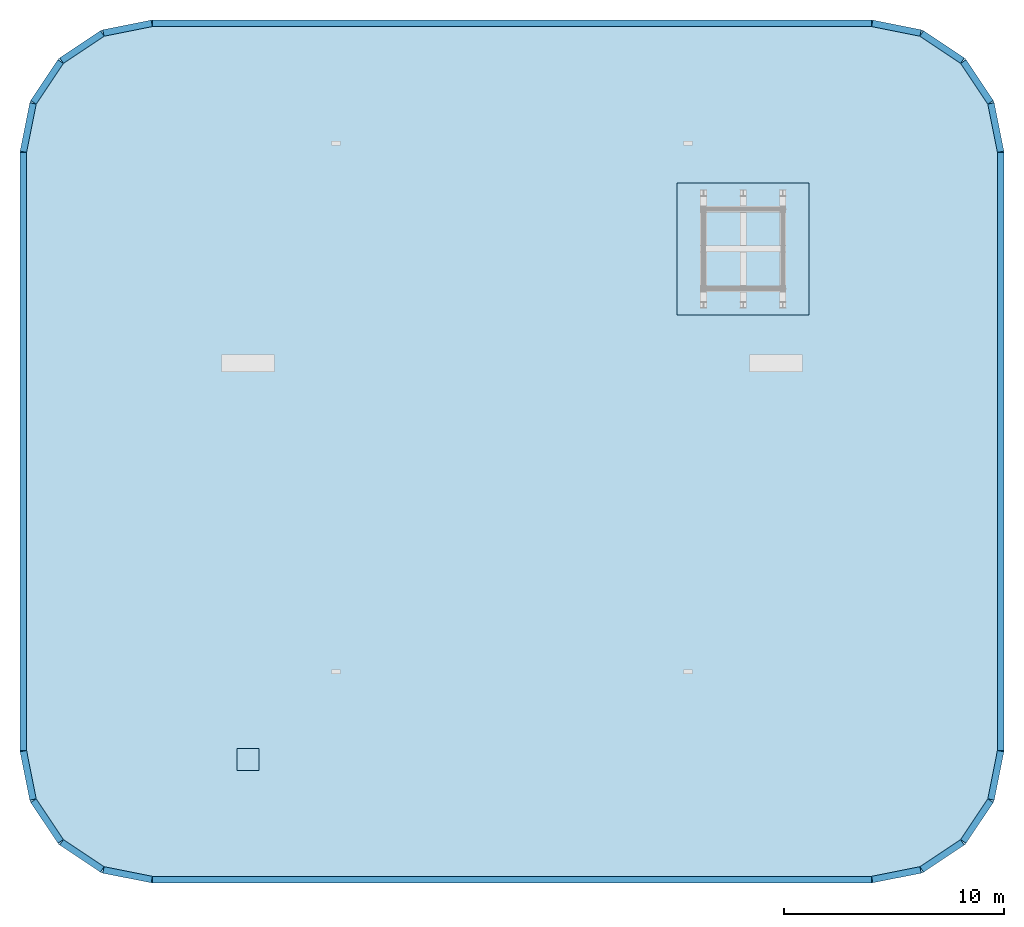
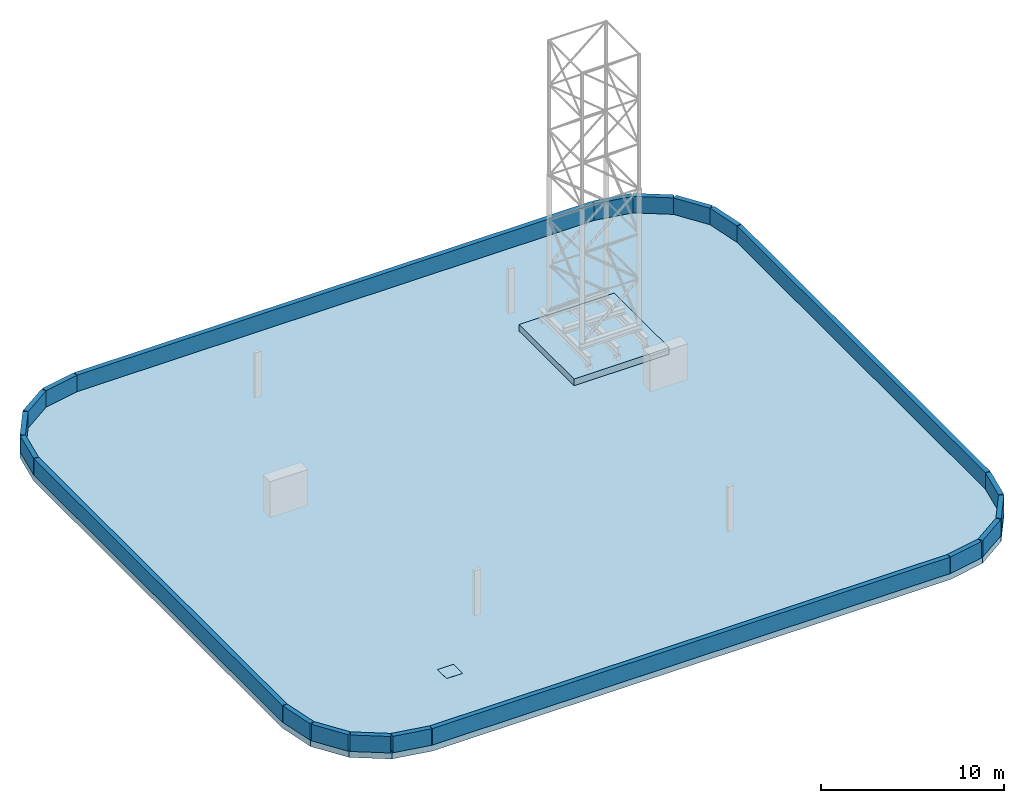
# One storey, part 2 of 3: 20 walls, 2 slabs, 1 plate, 1 opening.
"""IFC4 building model written with IfcOpenShell, lengths in metres."""

from ifc_helpers import new_model, si_unit, direction, frame, frame_2d, origin, origin_2d, place, context, subcontext, project, spatial, polyline, rectangle, outline, extrude, material, layer, layer_set, type_object, element, fill, save


model = new_model("IFC4")

# Units and contexts
model_context = context("Model", 3, precision=1e-05, world=origin(), true_north=direction((0.0, 1.0)))
body_context = subcontext(model_context, "Body", "Model", "MODEL_VIEW")
ifc_project = project(units=[si_unit("LENGTHUNIT", "METRE"), si_unit("AREAUNIT", "SQUARE_METRE"), si_unit("VOLUMEUNIT", "CUBIC_METRE"), si_unit("PLANEANGLEUNIT", "RADIAN"), si_unit("MASSUNIT", "GRAM", prefix="KILO")], contexts=[model_context])

# Site, building, storey
site_placement = place(None, origin())
site = spatial("IfcSite", under=ifc_project, at=site_placement, CompositionType="ELEMENT")
building_placement = place(site_placement, origin())
building = spatial("IfcBuilding", under=site, at=building_placement, Name="Mopane Tessera Tower", CompositionType="ELEMENT")
storey_placement = place(building_placement, frame((0.0, 0.0, 361.89990234375)))
storey = spatial("IfcBuildingStorey", under=building, at=storey_placement, Name="Roof", CompositionType="ELEMENT", Elevation=361.89990234375)

# Slab
ifc_material_1 = material(Name="Concrete C40/50", Category="concrete")
ifc_layer_1 = layer(ifc_material_1, 0.449951171875)
ifc_layer_set_1 = layer_set([ifc_layer_1], Name="Concrete C40/50")
slab_type_1 = type_object("IfcSlabType", Name="Mast plinth slab 450 mm", PredefinedType="ROOF", material=ifc_layer_set_1)
slab_1_placement = place(storey_placement, origin())
element("IfcSlab", 1, at=slab_1_placement, inside=storey, type_object=slab_type_1, Name="Mast plinth slab", PredefinedType="ROOF", context=body_context, shape_type="SweptSolid", body=[
    extrude(outline(polyline([(13.5, 12.199951171875), (7.5, 12.199951171875), (7.5, 6.199951171875), (13.5, 6.199951171875), (13.5, 12.199951171875)])), origin(), (0.0, 0.0, 1.0), 0.4501953125),
])

# Slab, opening, plate
ifc_material_2 = material(Name="Concrete C40/50", Category="concrete")
ifc_layer_2 = layer(ifc_material_2, 0.39990234375)
ifc_layer_set_2 = layer_set([ifc_layer_2], Name="Concrete C40/50")
slab_type_2 = type_object("IfcSlabType", Name="Plant roof slab 400 mm", PredefinedType="ROOF", material=ifc_layer_set_2)
slab_2_placement = place(storey_placement, frame((0.0, 0.0, -0.39990234375)))
slab_2 = element("IfcSlab", 2, at=slab_2_placement, inside=storey, type_object=slab_type_2, Name="Plant roof slab", PredefinedType="ROOF", context=body_context, shape_type="SweptSolid", body=[
    extrude(outline(polyline([(16.35009765625, -19.60009765625), (18.64599609375, -19.143310546875), (20.592529296875, -17.842529296875), (21.893310546875, -15.89599609375), (22.35009765625, -13.60009765625), (22.35009765625, 13.60009765625), (21.893310546875, 15.89599609375), (20.592529296875, 17.842529296875), (18.64599609375, 19.143310546875), (16.35009765625, 19.60009765625), (-16.35009765625, 19.60009765625), (-18.64599609375, 19.143310546875), (-20.592529296875, 17.842529296875), (-21.893310546875, 15.89599609375), (-22.35009765625, 13.60009765625), (-22.35009765625, -13.60009765625), (-21.893310546875, -15.89599609375), (-20.592529296875, -17.842529296875), (-18.64599609375, -19.143310546875), (-16.35009765625, -19.60009765625), (16.35009765625, -19.60009765625)])), origin(), (0.0, 0.0, 1.0), 0.39990234375),
])
opening_placement = place(slab_2_placement, frame((-12.0, -14.0, 0.0)))
opening = element("IfcOpeningElement", 3, at=opening_placement, cuts=slab_2, Name="Opening HT1", PredefinedType="OPENING", context=body_context, shape_type="SweptSolid", body=[
    extrude(rectangle(XDim=1.0, YDim=1.0, at=origin_2d()), origin(), (0.0, 0.0, 1.0), 0.39990234375),
])
ifc_material_3 = material(Name="Galvanised steel", Category="steel")
ifc_layer_3 = layer(ifc_material_3, 0.050048828125)
ifc_layer_set_3 = layer_set([ifc_layer_3], Name="Galvanised steel")
plate_type = type_object("IfcPlateType", Name="Roof access hatch lid 1000 x 1000", PredefinedType="SHEET", material=ifc_layer_set_3)
plate_placement = place(opening_placement, frame((0.0, 0.0, 0.349853515625)))
plate = element("IfcPlate", 4, at=plate_placement, inside=storey, type_object=plate_type, Name="Roof access hatch lid", PredefinedType="SHEET", context=body_context, shape_type="SweptSolid", body=[
    extrude(rectangle(XDim=1.0, YDim=1.0, at=origin_2d()), origin(), (0.0, 0.0, 1.0), 0.050048828125),
])
fill(opening, plate)

# Walls
ifc_material_4 = material(Name="Reinforced concrete C32/40", Category="concrete")
ifc_layer_4 = layer(ifc_material_4, 0.300048828125)
ifc_layer_set_4 = layer_set([ifc_layer_4], Name="Reinforced concrete C32/40")
wall_type = type_object("IfcWallType", Name="Parapet wall 300 x 1100", PredefinedType="PARAPET", material=ifc_layer_set_4)
wall_1_placement = place(storey_placement, frame((-16.335205078125, -19.449951171875, 0.0), z_axis=(0.0, 0.0, 1.0), x_axis=(1.0, 0.0, 0.0)))
element("IfcWall", 5, at=wall_1_placement, inside=storey, type_object=wall_type, Name="e:rf:parapet0", PredefinedType="PARAPET", context=body_context, shape_type="SweptSolid", body=[
    extrude(rectangle(XDim=32.67041015625, YDim=0.300048828125, at=frame_2d((16.335205078125, 0.0))), origin(), (0.0, 0.0, 1.0), 1.10009765625),
])
wall_2_placement = place(storey_placement, frame((16.364501953125, -19.447021484375, 0.0), z_axis=(0.0, 0.0, 1.0), x_axis=(0.980789918185, 0.195067004863, 0.0)))
element("IfcWall", 6, at=wall_2_placement, inside=storey, type_object=wall_type, Name="e:rf:parapet1", PredefinedType="PARAPET", context=body_context, shape_type="SweptSolid", body=[
    extrude(rectangle(XDim=2.23779296875, YDim=0.300048828125, at=frame_2d((1.118896484375, 0.0))), origin(), (0.0, 0.0, 1.0), 1.10009765625),
])
for number, where, z_axis, x_axis, name in (
    (7, (18.613525390625, -18.988037109375, 0.0), (0.0, 0.0, 1.0), (0.831475309653, 0.555561706238, 0.0), "e:rf:parapet2"),
    (8, (20.503173828125, -17.711669921875, 0.0), (0.0, 0.0, 1.0), (0.555561706238, 0.831475309653, 0.0), "e:rf:parapet3"),
):
    element("IfcWall", number, at=place(storey_placement, frame(where, z_axis=z_axis, x_axis=x_axis)), inside=storey, type_object=wall_type, Name=name, PredefinedType="PARAPET", context=body_context, shape_type="SweptSolid", body=[
        extrude(rectangle(XDim=2.22265625, YDim=0.300048828125, at=frame_2d((1.111328125, 0.0))), origin(), (0.0, 0.0, 1.0), 1.10009765625),
    ])
wall_3_placement = place(storey_placement, frame((21.760498046875, -15.809326171875, 0.0), z_axis=(0.0, 0.0, 1.0), x_axis=(0.195067004863, 0.980789918185, 0.0)))
element("IfcWall", 9, at=wall_3_placement, inside=storey, type_object=wall_type, Name="e:rf:parapet4", PredefinedType="PARAPET", context=body_context, shape_type="SweptSolid", body=[
    extrude(rectangle(XDim=2.23779296875, YDim=0.300048828125, at=frame_2d((1.118896484375, 0.0))), origin(), (0.0, 0.0, 1.0), 1.10009765625),
])
wall_4_placement = place(storey_placement, frame((22.199951171875, -13.585205078125, 0.0), z_axis=(0.0, 0.0, 1.0), x_axis=(0.0, 1.0, 0.0)))
element("IfcWall", 10, at=wall_4_placement, inside=storey, type_object=wall_type, Name="e:rf:parapet5", PredefinedType="PARAPET", context=body_context, shape_type="SweptSolid", body=[
    extrude(rectangle(XDim=27.17041015625, YDim=0.300048828125, at=frame_2d((13.585205078125, 0.0))), origin(), (0.0, 0.0, 1.0), 1.10009765625),
])
wall_5_placement = place(storey_placement, frame((22.197021484375, 13.614501953125, 0.0), z_axis=(0.0, 0.0, 1.0), x_axis=(-0.195067004863, 0.980789918185, 0.0)))
element("IfcWall", 11, at=wall_5_placement, inside=storey, type_object=wall_type, Name="e:rf:parapet6", PredefinedType="PARAPET", context=body_context, shape_type="SweptSolid", body=[
    extrude(rectangle(XDim=2.23779296875, YDim=0.300048828125, at=frame_2d((1.118896484375, 0.0))), origin(), (0.0, 0.0, 1.0), 1.10009765625),
])
for number, where, z_axis, x_axis, name in (
    (12, (21.738037109375, 15.863525390625, 0.0), (0.0, 0.0, 1.0), (-0.555561706238, 0.831475309653, 0.0), "e:rf:parapet7"),
    (13, (20.461669921875, 17.753173828125, 0.0), (0.0, 0.0, 1.0), (-0.831475309653, 0.555561706238, 0.0), "e:rf:parapet8"),
):
    element("IfcWall", number, at=place(storey_placement, frame(where, z_axis=z_axis, x_axis=x_axis)), inside=storey, type_object=wall_type, Name=name, PredefinedType="PARAPET", context=body_context, shape_type="SweptSolid", body=[
        extrude(rectangle(XDim=2.22265625, YDim=0.300048828125, at=frame_2d((1.111328125, 0.0))), origin(), (0.0, 0.0, 1.0), 1.10009765625),
    ])
wall_6_placement = place(storey_placement, frame((18.559326171875, 19.010498046875, 0.0), z_axis=(0.0, 0.0, 1.0), x_axis=(-0.980789918185, 0.195067004863, 0.0)))
element("IfcWall", 14, at=wall_6_placement, inside=storey, type_object=wall_type, Name="e:rf:parapet9", PredefinedType="PARAPET", context=body_context, shape_type="SweptSolid", body=[
    extrude(rectangle(XDim=2.23779296875, YDim=0.300048828125, at=frame_2d((1.118896484375, 0.0))), origin(), (0.0, 0.0, 1.0), 1.10009765625),
])
wall_7_placement = place(storey_placement, frame((16.335205078125, 19.449951171875, 0.0), z_axis=(0.0, 0.0, 1.0), x_axis=(-1.0, 0.0, 0.0)))
element("IfcWall", 15, at=wall_7_placement, inside=storey, type_object=wall_type, Name="e:rf:parapet10", PredefinedType="PARAPET", context=body_context, shape_type="SweptSolid", body=[
    extrude(rectangle(XDim=32.67041015625, YDim=0.300048828125, at=frame_2d((16.335205078125, 0.0))), origin(), (0.0, 0.0, 1.0), 1.10009765625),
])
wall_8_placement = place(storey_placement, frame((-16.364501953125, 19.447021484375, 0.0), z_axis=(0.0, 0.0, 1.0), x_axis=(-0.980789918185, -0.195067004863, 0.0)))
element("IfcWall", 16, at=wall_8_placement, inside=storey, type_object=wall_type, Name="e:rf:parapet11", PredefinedType="PARAPET", context=body_context, shape_type="SweptSolid", body=[
    extrude(rectangle(XDim=2.23779296875, YDim=0.300048828125, at=frame_2d((1.118896484375, 0.0))), origin(), (0.0, 0.0, 1.0), 1.10009765625),
])
for number, where, z_axis, x_axis, name in (
    (17, (-18.613525390625, 18.988037109375, 0.0), (0.0, 0.0, 1.0), (-0.831475309653, -0.555561706238, 0.0), "e:rf:parapet12"),
    (18, (-20.503173828125, 17.711669921875, 0.0), (0.0, 0.0, 1.0), (-0.555561706238, -0.831475309653, 0.0), "e:rf:parapet13"),
):
    element("IfcWall", number, at=place(storey_placement, frame(where, z_axis=z_axis, x_axis=x_axis)), inside=storey, type_object=wall_type, Name=name, PredefinedType="PARAPET", context=body_context, shape_type="SweptSolid", body=[
        extrude(rectangle(XDim=2.22265625, YDim=0.300048828125, at=frame_2d((1.111328125, 0.0))), origin(), (0.0, 0.0, 1.0), 1.10009765625),
    ])
wall_9_placement = place(storey_placement, frame((-21.760498046875, 15.809326171875, 0.0), z_axis=(0.0, 0.0, 1.0), x_axis=(-0.195067004863, -0.980789918185, 0.0)))
element("IfcWall", 19, at=wall_9_placement, inside=storey, type_object=wall_type, Name="e:rf:parapet14", PredefinedType="PARAPET", context=body_context, shape_type="SweptSolid", body=[
    extrude(rectangle(XDim=2.23779296875, YDim=0.300048828125, at=frame_2d((1.118896484375, 0.0))), origin(), (0.0, 0.0, 1.0), 1.10009765625),
])
wall_10_placement = place(storey_placement, frame((-22.199951171875, 13.585205078125, 0.0), z_axis=(0.0, 0.0, 1.0), x_axis=(0.0, -1.0, 0.0)))
element("IfcWall", 20, at=wall_10_placement, inside=storey, type_object=wall_type, Name="e:rf:parapet15", PredefinedType="PARAPET", context=body_context, shape_type="SweptSolid", body=[
    extrude(rectangle(XDim=27.17041015625, YDim=0.300048828125, at=frame_2d((13.585205078125, 0.0))), origin(), (0.0, 0.0, 1.0), 1.10009765625),
])
wall_11_placement = place(storey_placement, frame((-22.197021484375, -13.614501953125, 0.0), z_axis=(0.0, 0.0, 1.0), x_axis=(0.195067004863, -0.980789918185, 0.0)))
element("IfcWall", 21, at=wall_11_placement, inside=storey, type_object=wall_type, Name="e:rf:parapet16", PredefinedType="PARAPET", context=body_context, shape_type="SweptSolid", body=[
    extrude(rectangle(XDim=2.23779296875, YDim=0.300048828125, at=frame_2d((1.118896484375, 0.0))), origin(), (0.0, 0.0, 1.0), 1.10009765625),
])
for number, where, z_axis, x_axis, name in (
    (22, (-21.738037109375, -15.863525390625, 0.0), (0.0, 0.0, 1.0), (0.555561706238, -0.831475309653, 0.0), "e:rf:parapet17"),
    (23, (-20.461669921875, -17.753173828125, 0.0), (0.0, 0.0, 1.0), (0.831475309653, -0.555561706238, 0.0), "e:rf:parapet18"),
):
    element("IfcWall", number, at=place(storey_placement, frame(where, z_axis=z_axis, x_axis=x_axis)), inside=storey, type_object=wall_type, Name=name, PredefinedType="PARAPET", context=body_context, shape_type="SweptSolid", body=[
        extrude(rectangle(XDim=2.22265625, YDim=0.300048828125, at=frame_2d((1.111328125, 0.0))), origin(), (0.0, 0.0, 1.0), 1.10009765625),
    ])
wall_12_placement = place(storey_placement, frame((-18.559326171875, -19.010498046875, 0.0), z_axis=(0.0, 0.0, 1.0), x_axis=(0.980789918185, -0.195067004863, 0.0)))
element("IfcWall", 24, at=wall_12_placement, inside=storey, type_object=wall_type, Name="e:rf:parapet19", PredefinedType="PARAPET", context=body_context, shape_type="SweptSolid", body=[
    extrude(rectangle(XDim=2.23779296875, YDim=0.300048828125, at=frame_2d((1.118896484375, 0.0))), origin(), (0.0, 0.0, 1.0), 1.10009765625),
])

save(model, "model.ifc")
